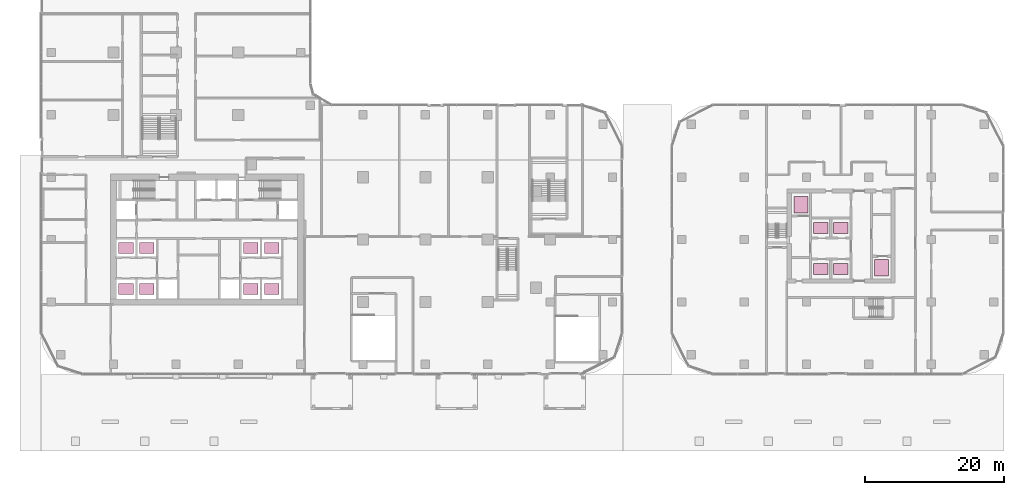
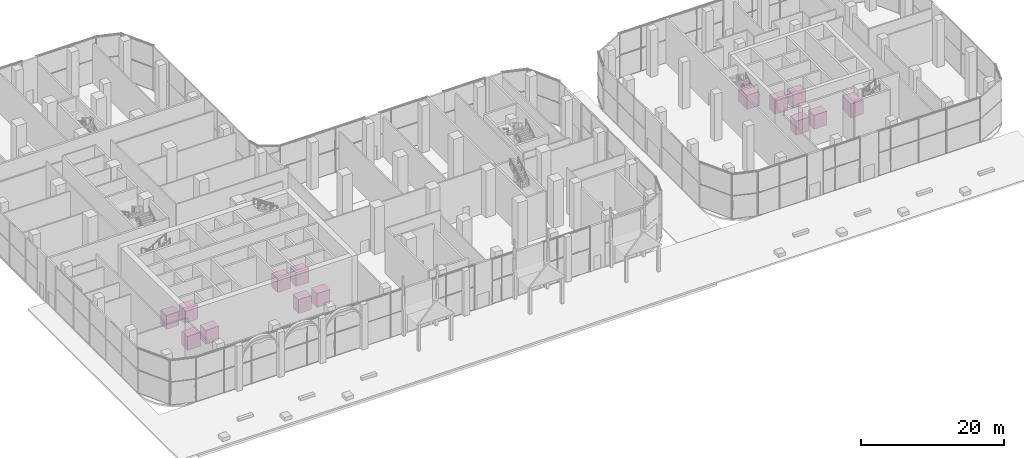
# One storey, part 54 of 54: 14 transport elements.
"""IFC4 building model written with IfcOpenShell, lengths in metres."""

from ifc_helpers import new_model, si_unit, direction, frame, origin, origin_2d, place, context, subcontext, project, spatial, rectangle, extrude, material, type_object, element, save


model = new_model("IFC4")

# Units and contexts
model_context = context("Model", 3, precision=1e-05, world=origin(), true_north=direction((0.0, 1.0)))
body_context = subcontext(model_context, "Body", "Model", "MODEL_VIEW")
ifc_project = project(units=[si_unit("LENGTHUNIT", "METRE"), si_unit("AREAUNIT", "SQUARE_METRE"), si_unit("VOLUMEUNIT", "CUBIC_METRE"), si_unit("PLANEANGLEUNIT", "RADIAN"), si_unit("MASSUNIT", "GRAM", prefix="KILO")], contexts=[model_context])

# Site, building, storey
site_placement = place(None, origin())
site = spatial("IfcSite", under=ifc_project, at=site_placement, CompositionType="ELEMENT")
building_placement = place(site_placement, origin())
building = spatial("IfcBuilding", under=site, at=building_placement, Name="Ogive Portal Towers", CompositionType="ELEMENT")
storey_placement = place(building_placement, origin())
storey = spatial("IfcBuildingStorey", under=building, at=storey_placement, Name="L00", CompositionType="ELEMENT", Elevation=0.0)

# Transport elements
ifc_material = material(Name="Stainless steel car", Category="steel")
transport_element_type_1 = type_object("IfcTransportElementType", Name="LT-BL", PredefinedType="ELEVATOR", material=ifc_material)
for number, where, z_axis, x_axis, name in (
    (1, (133.550048828125, 26.25, 0.0), (0.0, 0.0, 1.0), (1.0, 0.0, 0.0), "Lift BL1"),
    (2, (136.449951171875, 26.25, 0.0), (0.0, 0.0, 1.0), (1.0, 0.0, 0.0), "Lift BL2"),
    (3, (133.550048828125, 32.14990234375, 0.0), (0.0, 0.0, 1.0), (1.0, 0.0, 0.0), "Lift BL3"),
    (4, (136.449951171875, 32.14990234375, 0.0), (0.0, 0.0, 1.0), (1.0, 0.0, 0.0), "Lift BL4"),
):
    element("IfcTransportElement", number, at=place(storey_placement, frame(where, z_axis=z_axis, x_axis=x_axis)), inside=storey, type_object=transport_element_type_1, Name=name, PredefinedType="ELEVATOR", context=body_context, shape_type="SweptSolid", body=[
        extrude(rectangle(XDim=2.10009765625, YDim=1.60009765625, at=origin_2d()), origin(), (0.0, 0.0, 1.0), 2.39990234375),
    ])
transport_element_type_2 = type_object("IfcTransportElementType", Name="LT-FF", PredefinedType="ELEVATOR", material=ifc_material)
for number, where, z_axis, x_axis, name in (
    (5, (130.699951171875, 35.550048828125, 0.0), (0.0, 0.0, 1.0), (1.0, 0.0, 0.0), "Lift FF-B1"),
    (6, (142.300048828125, 26.449951171875, 0.0), (0.0, 0.0, 1.0), (1.0, 0.0, 0.0), "Lift FF-B2"),
):
    element("IfcTransportElement", number, at=place(storey_placement, frame(where, z_axis=z_axis, x_axis=x_axis)), inside=storey, type_object=transport_element_type_2, Name=name, PredefinedType="ELEVATOR", context=body_context, shape_type="SweptSolid", body=[
        extrude(rectangle(XDim=2.0, YDim=2.39990234375, at=origin_2d()), origin(), (0.0, 0.0, 1.0), 2.39990234375),
    ])
transport_element_type_3 = type_object("IfcTransportElementType", Name="LT-LR", PredefinedType="ELEVATOR", material=ifc_material)
for number, where, z_axis, x_axis, name in (
    (7, (33.300048828125, 23.35009765625, 0.0), (0.0, 0.0, 1.0), (1.0, 0.0, 0.0), "Lift LR1"),
    (8, (36.300048828125, 23.35009765625, 0.0), (0.0, 0.0, 1.0), (1.0, 0.0, 0.0), "Lift LR2"),
    (9, (33.300048828125, 29.27490234375, 0.0), (0.0, 0.0, 1.0), (1.0, 0.0, 0.0), "Lift LR3"),
    (10, (36.300048828125, 29.27490234375, 0.0), (0.0, 0.0, 1.0), (1.0, 0.0, 0.0), "Lift LR4"),
):
    element("IfcTransportElement", number, at=place(storey_placement, frame(where, z_axis=z_axis, x_axis=x_axis)), inside=storey, type_object=transport_element_type_3, Name=name, PredefinedType="ELEVATOR", context=body_context, shape_type="SweptSolid", body=[
        extrude(rectangle(XDim=2.10009765625, YDim=1.60009765625, at=origin_2d()), origin(), (0.0, 0.0, 1.0), 2.39990234375),
    ])
transport_element_type_4 = type_object("IfcTransportElementType", Name="LT-OX", PredefinedType="ELEVATOR", material=ifc_material)
for number, where, z_axis, x_axis, name in (
    (11, (51.300048828125, 29.27490234375, 0.0), (0.0, 0.0, 1.0), (1.0, 0.0, 0.0), "Lift OX1"),
    (12, (54.300048828125, 29.27490234375, 0.0), (0.0, 0.0, 1.0), (1.0, 0.0, 0.0), "Lift OX2"),
):
    element("IfcTransportElement", number, at=place(storey_placement, frame(where, z_axis=z_axis, x_axis=x_axis)), inside=storey, type_object=transport_element_type_4, Name=name, PredefinedType="ELEVATOR", context=body_context, shape_type="SweptSolid", body=[
        extrude(rectangle(XDim=2.10009765625, YDim=1.60009765625, at=origin_2d()), origin(), (0.0, 0.0, 1.0), 2.39990234375),
    ])
transport_element_type_5 = type_object("IfcTransportElementType", Name="LT-SH", PredefinedType="ELEVATOR", material=ifc_material)
for number, where, z_axis, x_axis, name in (
    (13, (51.300048828125, 23.35009765625, 0.0), (0.0, 0.0, 1.0), (1.0, 0.0, 0.0), "Lift SH1"),
    (14, (54.300048828125, 23.35009765625, 0.0), (0.0, 0.0, 1.0), (1.0, 0.0, 0.0), "Lift SH2"),
):
    element("IfcTransportElement", number, at=place(storey_placement, frame(where, z_axis=z_axis, x_axis=x_axis)), inside=storey, type_object=transport_element_type_5, Name=name, PredefinedType="ELEVATOR", context=body_context, shape_type="SweptSolid", body=[
        extrude(rectangle(XDim=2.10009765625, YDim=1.60009765625, at=origin_2d()), origin(), (0.0, 0.0, 1.0), 2.39990234375),
    ])

save(model, "model.ifc")
